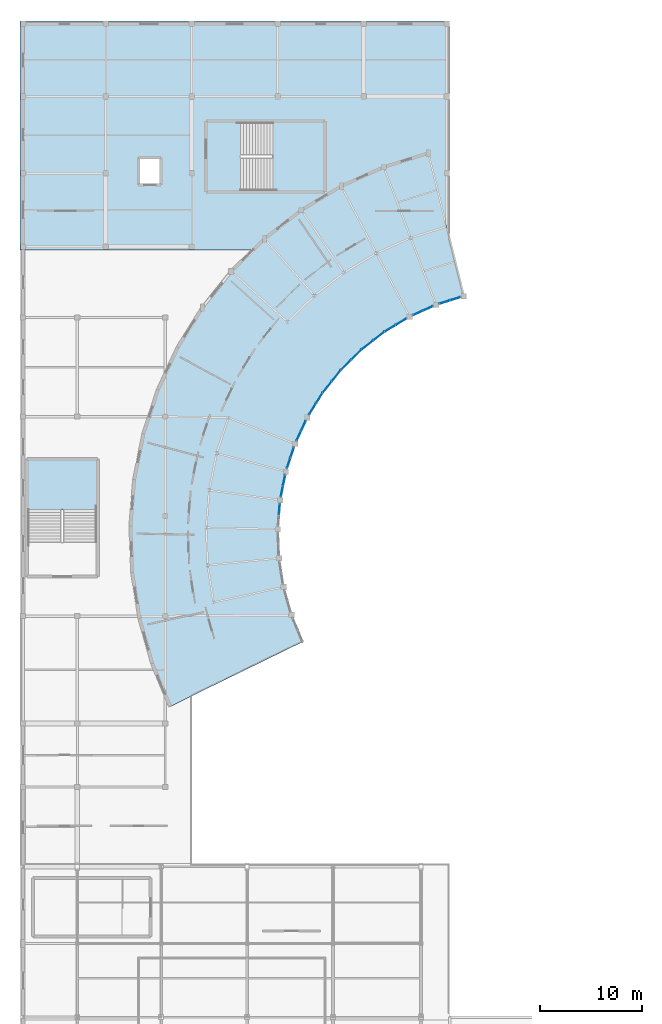
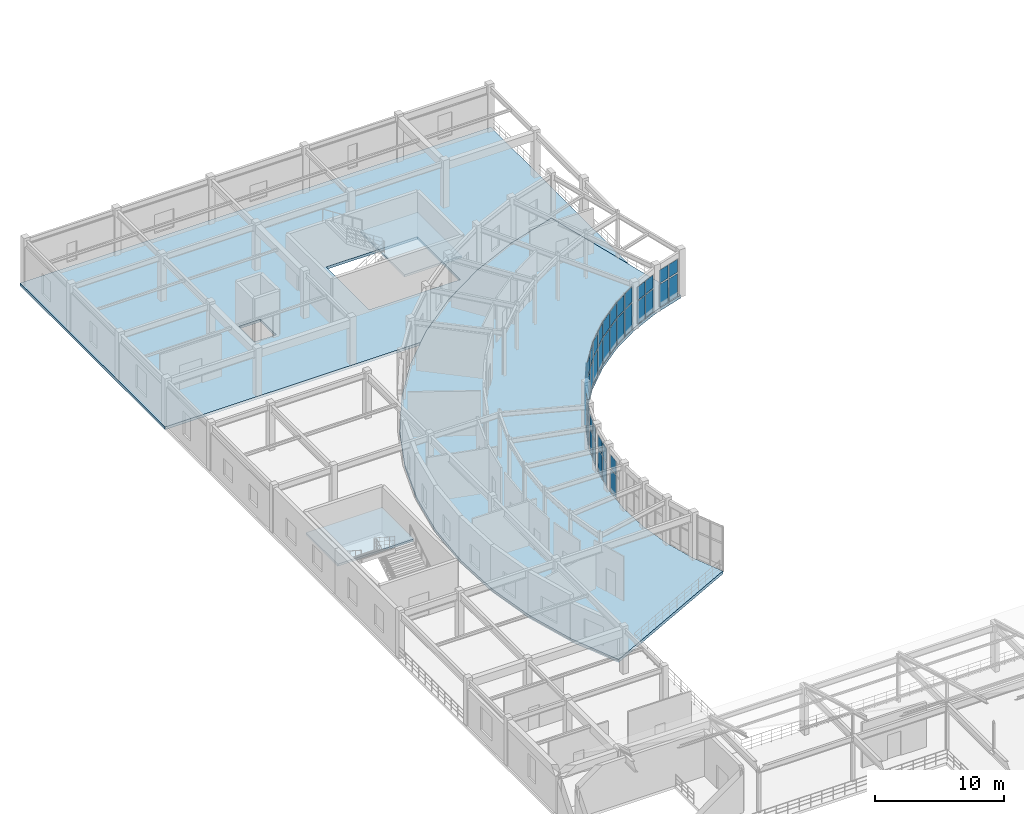
# One storey, part 76 of 112: 42 plates, 4 slabs, 13 elements without a shape of their own.
"""IFC4 building model written with IfcOpenShell, lengths in metres."""

from ifc_helpers import new_model, si_unit, direction, frame, origin, origin_2d, place, context, subcontext, project, spatial, polyline, rectangle, outline, extrude, material, layer, layer_set, type_object, element, aggregate, save


model = new_model("IFC4")

# Units and contexts
model_context = context("Model", 3, precision=1e-05, world=origin(), true_north=direction((0.0, 1.0)))
body_context = subcontext(model_context, "Body", "Model", "MODEL_VIEW")
ifc_project = project(units=[si_unit("LENGTHUNIT", "METRE"), si_unit("AREAUNIT", "SQUARE_METRE"), si_unit("VOLUMEUNIT", "CUBIC_METRE"), si_unit("PLANEANGLEUNIT", "RADIAN"), si_unit("MASSUNIT", "GRAM", prefix="KILO")], contexts=[model_context])

# Site, building, storey
site_placement = place(None, origin())
site = spatial("IfcSite", under=ifc_project, at=site_placement, CompositionType="ELEMENT")
building_placement = place(site_placement, origin())
building = spatial("IfcBuilding", under=site, at=building_placement, Name="Cinderbank Siding Concert Hall", CompositionType="ELEMENT")
storey_placement = place(building_placement, frame((0.0, 0.0, 10.199951171875)))
storey = spatial("IfcBuildingStorey", under=building, at=storey_placement, Name="L03", CompositionType="ELEMENT", Elevation=10.199951171875)

# Curtain wall, plates
ifc_material_1 = material(Name="Anodised aluminium alloy 6063-T6", Category="aluminium")
curtain_wall_type_1 = type_object("IfcCurtainWallType", Name="CW-14 Unitised Acoustic Curtain Wall 4200x3800", PredefinedType="NOTDEFINED", material=ifc_material_1)
curtain_wall_1_placement = place(storey_placement, origin())
curtain_wall_1 = element("IfcCurtainWall", 1, at=curtain_wall_1_placement, inside=storey, type_object=curtain_wall_type_1, Name="L03 Curtain Wall CW-14 #128", PredefinedType="NOTDEFINED")
ifc_material_2 = material(Name="Double-glazed laminated acoustic glass", Category="glass")
ifc_layer_1 = layer(ifc_material_2, 0.035888671875)
ifc_layer_set_1 = layer_set([ifc_layer_1], Name="Double-glazed laminated acoustic glass")
plate_type_1 = type_object("IfcPlateType", Name="CP-01 Glazed Curtain Panel 1800x2200", PredefinedType="CURTAIN_PANEL", material=ifc_layer_set_1)
plate_1_placement = place(storey_placement, frame((37.720458984375, 83.5029296875, 0.1201171875), z_axis=(0.0, 0.0, 1.0), x_axis=(-0.62388932091, -0.781512709592, 0.0)))
plate_1 = element("IfcPlate", 2, at=plate_1_placement, type_object=plate_type_1, Name="CW-L03-128 Glazed Panel 0-0", PredefinedType="CURTAIN_PANEL", context=body_context, shape_type="SweptSolid", body=[
    extrude(rectangle(XDim=1.3232421875, YDim=0.035888671875, at=origin_2d()), origin(), (0.0, 0.0, 1.0), 2.439453125),
])
plate_2_placement = place(storey_placement, frame((37.720458984375, 83.5029296875, 2.6796875), z_axis=(0.0, 0.0, 1.0), x_axis=(-0.62388932091, -0.781512709592, 0.0)))
plate_2 = element("IfcPlate", 3, at=plate_2_placement, type_object=plate_type_1, Name="CW-L03-128 Glazed Panel 0-1", PredefinedType="CURTAIN_PANEL", context=body_context, shape_type="SweptSolid", body=[
    extrude(rectangle(XDim=1.3232421875, YDim=0.035888671875, at=origin_2d()), origin(), (0.0, 0.0, 1.0), 1.425537109375),
])
plate_3_placement = place(storey_placement, frame((36.83251953125, 82.390625, 0.1201171875), z_axis=(0.0, 0.0, 1.0), x_axis=(-0.62388932091, -0.781512709592, 0.0)))
plate_3 = element("IfcPlate", 4, at=plate_3_placement, type_object=plate_type_1, Name="CW-L03-128 Glazed Panel 1-0", PredefinedType="CURTAIN_PANEL", context=body_context, shape_type="SweptSolid", body=[
    extrude(rectangle(XDim=1.3232421875, YDim=0.035888671875, at=origin_2d()), origin(), (0.0, 0.0, 1.0), 2.439453125),
])
plate_4_placement = place(storey_placement, frame((36.83251953125, 82.390625, 2.6796875), z_axis=(0.0, 0.0, 1.0), x_axis=(-0.62388932091, -0.781512709592, 0.0)))
plate_4 = element("IfcPlate", 5, at=plate_4_placement, type_object=plate_type_1, Name="CW-L03-128 Glazed Panel 1-1", PredefinedType="CURTAIN_PANEL", context=body_context, shape_type="SweptSolid", body=[
    extrude(rectangle(XDim=1.3232421875, YDim=0.035888671875, at=origin_2d()), origin(), (0.0, 0.0, 1.0), 1.425537109375),
])
aggregate(curtain_wall_1, [plate_1, plate_2, plate_3, plate_4])

curtain_wall_type_2 = type_object("IfcCurtainWallType", Name="CW-13 Unitised Acoustic Curtain Wall 4200x4400", PredefinedType="NOTDEFINED", material=ifc_material_1)
curtain_wall_2_placement = place(storey_placement, origin())
curtain_wall_2 = element("IfcCurtainWall", 6, at=curtain_wall_2_placement, inside=storey, type_object=curtain_wall_type_2, Name="L03 Curtain Wall CW-13 #129", PredefinedType="NOTDEFINED")
ifc_layer_2 = layer(ifc_material_2, 0.035888671875)
ifc_layer_set_2 = layer_set([ifc_layer_2], Name="Double-glazed laminated acoustic glass")
plate_type_2 = type_object("IfcPlateType", Name="CP-02 Glazed Curtain Panel 1800x1900", PredefinedType="CURTAIN_PANEL", material=ifc_layer_set_2)
plate_5_placement = place(storey_placement, frame((36.058349609375, 81.3017578125, 0.1201171875), z_axis=(0.0, 0.0, 1.0), x_axis=(-0.526957938243, -0.849891364424, 0.0)))
plate_5 = element("IfcPlate", 7, at=plate_5_placement, type_object=plate_type_2, Name="CW-L03-129 Glazed Panel 0-0", PredefinedType="CURTAIN_PANEL", context=body_context, shape_type="SweptSolid", body=[
    extrude(rectangle(XDim=1.1533203125, YDim=0.035888671875, at=origin_2d()), origin(), (0.0, 0.0, 1.0), 2.439453125),
])
plate_6_placement = place(storey_placement, frame((36.058349609375, 81.3017578125, 2.6796875), z_axis=(0.0, 0.0, 1.0), x_axis=(-0.526957938243, -0.849891364424, 0.0)))
plate_6 = element("IfcPlate", 8, at=plate_6_placement, type_object=plate_type_2, Name="CW-L03-129 Glazed Panel 0-1", PredefinedType="CURTAIN_PANEL", context=body_context, shape_type="SweptSolid", body=[
    extrude(rectangle(XDim=1.1533203125, YDim=0.035888671875, at=origin_2d()), origin(), (0.0, 0.0, 1.0), 1.425537109375),
])
plate_7_placement = place(storey_placement, frame((35.397705078125, 80.236572265625, 0.1201171875), z_axis=(0.0, 0.0, 1.0), x_axis=(-0.526957938243, -0.849891364424, 0.0)))
plate_7 = element("IfcPlate", 9, at=plate_7_placement, type_object=plate_type_2, Name="CW-L03-129 Glazed Panel 1-0", PredefinedType="CURTAIN_PANEL", context=body_context, shape_type="SweptSolid", body=[
    extrude(rectangle(XDim=1.1533203125, YDim=0.035888671875, at=origin_2d()), origin(), (0.0, 0.0, 1.0), 2.439453125),
])
plate_8_placement = place(storey_placement, frame((35.397705078125, 80.236572265625, 2.6796875), z_axis=(0.0, 0.0, 1.0), x_axis=(-0.526957938243, -0.849891364424, 0.0)))
plate_8 = element("IfcPlate", 10, at=plate_8_placement, type_object=plate_type_2, Name="CW-L03-129 Glazed Panel 1-1", PredefinedType="CURTAIN_PANEL", context=body_context, shape_type="SweptSolid", body=[
    extrude(rectangle(XDim=1.1533203125, YDim=0.035888671875, at=origin_2d()), origin(), (0.0, 0.0, 1.0), 1.425537109375),
])
aggregate(curtain_wall_2, [plate_5, plate_6, plate_7, plate_8])

curtain_wall_3_placement = place(storey_placement, origin())
curtain_wall_3 = element("IfcCurtainWall", 11, at=curtain_wall_3_placement, inside=storey, type_object=curtain_wall_type_1, Name="L03 Curtain Wall CW-14 #130", PredefinedType="NOTDEFINED")
ifc_layer_3 = layer(ifc_material_2, 0.035888671875)
ifc_layer_set_3 = layer_set([ifc_layer_3], Name="Double-glazed laminated acoustic glass")
plate_type_3 = type_object("IfcPlateType", Name="CP-03 Glazed Curtain Panel 1600x2100", PredefinedType="CURTAIN_PANEL", material=ifc_layer_set_3)
plate_9_placement = place(storey_placement, frame((34.515869140625, 78.615966796875, 0.1201171875), z_axis=(0.0, 0.0, 1.0), x_axis=(-0.422596979175, -0.906317710956, 0.0)))
plate_9 = element("IfcPlate", 12, at=plate_9_placement, type_object=plate_type_3, Name="CW-L03-130 Glazed Panel 0-0", PredefinedType="CURTAIN_PANEL", context=body_context, shape_type="SweptSolid", body=[
    extrude(rectangle(XDim=0.9833984375, YDim=0.035888671875, at=origin_2d()), origin(), (0.0, 0.0, 1.0), 2.118408203125),
])
plate_10_placement = place(storey_placement, frame((34.515869140625, 78.615966796875, 2.3583984375), z_axis=(0.0, 0.0, 1.0), x_axis=(-0.422596979175, -0.906317710956, 0.0)))
plate_10 = element("IfcPlate", 13, at=plate_10_placement, type_object=plate_type_3, Name="CW-L03-130 Glazed Panel 0-1", PredefinedType="CURTAIN_PANEL", context=body_context, shape_type="SweptSolid", body=[
    extrude(rectangle(XDim=0.9833984375, YDim=0.035888671875, at=origin_2d()), origin(), (0.0, 0.0, 1.0), 1.228759765625),
])
plate_11_placement = place(storey_placement, frame((34.05810546875, 77.634033203125, 0.1201171875), z_axis=(0.0, 0.0, 1.0), x_axis=(-0.422596979175, -0.906317710956, 0.0)))
plate_11 = element("IfcPlate", 14, at=plate_11_placement, type_object=plate_type_3, Name="CW-L03-130 Glazed Panel 1-0", PredefinedType="CURTAIN_PANEL", context=body_context, shape_type="SweptSolid", body=[
    extrude(rectangle(XDim=0.9833984375, YDim=0.035888671875, at=origin_2d()), origin(), (0.0, 0.0, 1.0), 2.118408203125),
])
plate_12_placement = place(storey_placement, frame((34.05810546875, 77.634033203125, 2.3583984375), z_axis=(0.0, 0.0, 1.0), x_axis=(-0.422596979175, -0.906317710956, 0.0)))
plate_12 = element("IfcPlate", 15, at=plate_12_placement, type_object=plate_type_3, Name="CW-L03-130 Glazed Panel 1-1", PredefinedType="CURTAIN_PANEL", context=body_context, shape_type="SweptSolid", body=[
    extrude(rectangle(XDim=0.9833984375, YDim=0.035888671875, at=origin_2d()), origin(), (0.0, 0.0, 1.0), 1.228759765625),
])
aggregate(curtain_wall_3, [plate_9, plate_10, plate_11, plate_12])

curtain_wall_4_placement = place(storey_placement, origin())
curtain_wall_4 = element("IfcCurtainWall", 16, at=curtain_wall_4_placement, inside=storey, type_object=curtain_wall_type_2, Name="L03 Curtain Wall CW-13 #123", PredefinedType="NOTDEFINED")
ifc_layer_4 = layer(ifc_material_2, 0.031982421875)
ifc_layer_set_4 = layer_set([ifc_layer_4], Name="Double-glazed laminated acoustic glass")
plate_type_4 = type_object("IfcPlateType", Name="CP-04 Glazed Curtain Panel 1400x2000", PredefinedType="CURTAIN_PANEL", material=ifc_layer_set_4)
plate_13_placement = place(storey_placement, frame((49.3525390625, 91.0234375, 0.1201171875), z_axis=(0.0, 0.0, 1.0), x_axis=(-0.954240278145, -0.29904095299, 0.0)))
plate_13 = element("IfcPlate", 17, at=plate_13_placement, type_object=plate_type_4, Name="CW-L03-123 Glazed Panel 0-0", PredefinedType="CURTAIN_PANEL", context=body_context, shape_type="SweptSolid", body=[
    extrude(rectangle(XDim=0.9833984375, YDim=0.035888671875, at=origin_2d()), origin(), (0.0, 0.0, 1.0), 2.118408203125),
])
plate_14_placement = place(storey_placement, frame((49.3525390625, 91.0234375, 2.3583984375), z_axis=(0.0, 0.0, 1.0), x_axis=(-0.954240278145, -0.29904095299, 0.0)))
plate_14 = element("IfcPlate", 18, at=plate_14_placement, type_object=plate_type_4, Name="CW-L03-123 Glazed Panel 0-1", PredefinedType="CURTAIN_PANEL", context=body_context, shape_type="SweptSolid", body=[
    extrude(rectangle(XDim=0.9833984375, YDim=0.035888671875, at=origin_2d()), origin(), (0.0, 0.0, 1.0), 1.228759765625),
])
plate_15_placement = place(storey_placement, frame((48.318603515625, 90.699462890625, 0.1201171875), z_axis=(0.0, 0.0, 1.0), x_axis=(-0.954240278145, -0.29904095299, 0.0)))
plate_15 = element("IfcPlate", 19, at=plate_15_placement, type_object=plate_type_4, Name="CW-L03-123 Glazed Panel 1-0", PredefinedType="CURTAIN_PANEL", context=body_context, shape_type="SweptSolid", body=[
    extrude(rectangle(XDim=0.9833984375, YDim=0.035888671875, at=origin_2d()), origin(), (0.0, 0.0, 1.0), 2.118408203125),
])
plate_16_placement = place(storey_placement, frame((48.318603515625, 90.699462890625, 2.3583984375), z_axis=(0.0, 0.0, 1.0), x_axis=(-0.954240278145, -0.29904095299, 0.0)))
plate_16 = element("IfcPlate", 20, at=plate_16_placement, type_object=plate_type_4, Name="CW-L03-123 Glazed Panel 1-1", PredefinedType="CURTAIN_PANEL", context=body_context, shape_type="SweptSolid", body=[
    extrude(rectangle(XDim=0.9833984375, YDim=0.035888671875, at=origin_2d()), origin(), (0.0, 0.0, 1.0), 1.228759765625),
])
aggregate(curtain_wall_4, [plate_13, plate_14, plate_15, plate_16])

curtain_wall_5_placement = place(storey_placement, origin())
curtain_wall_5 = element("IfcCurtainWall", 21, at=curtain_wall_5_placement, inside=storey, type_object=curtain_wall_type_2, Name="L03 Curtain Wall CW-13 #131", PredefinedType="NOTDEFINED")
plate_17_placement = place(storey_placement, frame((33.409912109375, 75.997314453125, 0.1201171875), z_axis=(0.0, 0.0, 1.0), x_axis=(-0.312357553034, -0.949964609374, 0.0)))
plate_17 = element("IfcPlate", 22, at=plate_17_placement, type_object=plate_type_4, Name="CW-L03-131 Glazed Panel 0-0", PredefinedType="CURTAIN_PANEL", context=body_context, shape_type="SweptSolid", body=[
    extrude(rectangle(XDim=0.9833984375, YDim=0.035888671875, at=origin_2d()), origin(), (0.0, 0.0, 1.0), 2.118408203125),
])
plate_18_placement = place(storey_placement, frame((33.409912109375, 75.997314453125, 2.3583984375), z_axis=(0.0, 0.0, 1.0), x_axis=(-0.312357553034, -0.949964609374, 0.0)))
plate_18 = element("IfcPlate", 23, at=plate_18_placement, type_object=plate_type_4, Name="CW-L03-131 Glazed Panel 0-1", PredefinedType="CURTAIN_PANEL", context=body_context, shape_type="SweptSolid", body=[
    extrude(rectangle(XDim=0.9833984375, YDim=0.035888671875, at=origin_2d()), origin(), (0.0, 0.0, 1.0), 1.228759765625),
])
plate_19_placement = place(storey_placement, frame((33.071533203125, 74.96826171875, 0.1201171875), z_axis=(0.0, 0.0, 1.0), x_axis=(-0.312357553034, -0.949964609374, 0.0)))
plate_19 = element("IfcPlate", 24, at=plate_19_placement, type_object=plate_type_4, Name="CW-L03-131 Glazed Panel 1-0", PredefinedType="CURTAIN_PANEL", context=body_context, shape_type="SweptSolid", body=[
    extrude(rectangle(XDim=0.9833984375, YDim=0.035888671875, at=origin_2d()), origin(), (0.0, 0.0, 1.0), 2.118408203125),
])
plate_20_placement = place(storey_placement, frame((33.071533203125, 74.96826171875, 2.3583984375), z_axis=(0.0, 0.0, 1.0), x_axis=(-0.312357553034, -0.949964609374, 0.0)))
plate_20 = element("IfcPlate", 25, at=plate_20_placement, type_object=plate_type_4, Name="CW-L03-131 Glazed Panel 1-1", PredefinedType="CURTAIN_PANEL", context=body_context, shape_type="SweptSolid", body=[
    extrude(rectangle(XDim=0.9833984375, YDim=0.035888671875, at=origin_2d()), origin(), (0.0, 0.0, 1.0), 1.228759765625),
])
aggregate(curtain_wall_5, [plate_17, plate_18, plate_19, plate_20])

curtain_wall_6_placement = place(storey_placement, origin())
curtain_wall_6 = element("IfcCurtainWall", 26, at=curtain_wall_6_placement, inside=storey, type_object=curtain_wall_type_1, Name="L03 Curtain Wall CW-14 #124", PredefinedType="NOTDEFINED")
ifc_layer_5 = layer(ifc_material_2, 0.031982421875)
ifc_layer_set_5 = layer_set([ifc_layer_5], Name="Double-glazed laminated acoustic glass")
plate_type_5 = type_object("IfcPlateType", Name="CP-05 Glazed Curtain Panel 1200x1800", PredefinedType="CURTAIN_PANEL", material=ifc_layer_set_5)
plate_21_placement = place(storey_placement, frame((46.673095703125, 90.074462890625, 0.1201171875), z_axis=(0.0, 0.0, 1.0), x_axis=(-0.912121872087, -0.409919126731, 0.0)))
plate_21 = element("IfcPlate", 27, at=plate_21_placement, type_object=plate_type_5, Name="CW-L03-124 Glazed Panel 0-0", PredefinedType="CURTAIN_PANEL", context=body_context, shape_type="SweptSolid", body=[
    extrude(rectangle(XDim=0.9833984375, YDim=0.035888671875, at=origin_2d()), origin(), (0.0, 0.0, 1.0), 2.118408203125),
])
plate_22_placement = place(storey_placement, frame((46.673095703125, 90.074462890625, 2.3583984375), z_axis=(0.0, 0.0, 1.0), x_axis=(-0.912121872087, -0.409919126731, 0.0)))
plate_22 = element("IfcPlate", 28, at=plate_22_placement, type_object=plate_type_5, Name="CW-L03-124 Glazed Panel 0-1", PredefinedType="CURTAIN_PANEL", context=body_context, shape_type="SweptSolid", body=[
    extrude(rectangle(XDim=0.9833984375, YDim=0.035888671875, at=origin_2d()), origin(), (0.0, 0.0, 1.0), 1.228759765625),
])
plate_23_placement = place(storey_placement, frame((45.68505859375, 89.63037109375, 0.1201171875), z_axis=(0.0, 0.0, 1.0), x_axis=(-0.912121872087, -0.409919126731, 0.0)))
plate_23 = element("IfcPlate", 29, at=plate_23_placement, type_object=plate_type_5, Name="CW-L03-124 Glazed Panel 1-0", PredefinedType="CURTAIN_PANEL", context=body_context, shape_type="SweptSolid", body=[
    extrude(rectangle(XDim=0.9833984375, YDim=0.035888671875, at=origin_2d()), origin(), (0.0, 0.0, 1.0), 2.118408203125),
])
plate_24_placement = place(storey_placement, frame((45.68505859375, 89.63037109375, 2.3583984375), z_axis=(0.0, 0.0, 1.0), x_axis=(-0.912121872087, -0.409919126731, 0.0)))
plate_24 = element("IfcPlate", 30, at=plate_24_placement, type_object=plate_type_5, Name="CW-L03-124 Glazed Panel 1-1", PredefinedType="CURTAIN_PANEL", context=body_context, shape_type="SweptSolid", body=[
    extrude(rectangle(XDim=0.9833984375, YDim=0.035888671875, at=origin_2d()), origin(), (0.0, 0.0, 1.0), 1.228759765625),
])
aggregate(curtain_wall_6, [plate_21, plate_22, plate_23, plate_24])

curtain_wall_7_placement = place(storey_placement, origin())
curtain_wall_7 = element("IfcCurtainWall", 31, at=curtain_wall_7_placement, inside=storey, type_object=curtain_wall_type_1, Name="L03 Curtain Wall CW-14 #132", PredefinedType="NOTDEFINED")
plate_25_placement = place(storey_placement, frame((32.6220703125, 73.266357421875, 0.1201171875), z_axis=(0.0, 0.0, 1.0), x_axis=(-0.197635905492, -0.980275496409, 0.0)))
plate_25 = element("IfcPlate", 32, at=plate_25_placement, type_object=plate_type_5, Name="CW-L03-132 Glazed Panel 0-0", PredefinedType="CURTAIN_PANEL", context=body_context, shape_type="SweptSolid", body=[
    extrude(rectangle(XDim=0.9833984375, YDim=0.035888671875, at=origin_2d()), origin(), (0.0, 0.0, 1.0), 2.118408203125),
])
plate_26_placement = place(storey_placement, frame((32.6220703125, 73.266357421875, 2.3583984375), z_axis=(0.0, 0.0, 1.0), x_axis=(-0.197635905492, -0.980275496409, 0.0)))
plate_26 = element("IfcPlate", 33, at=plate_26_placement, type_object=plate_type_5, Name="CW-L03-132 Glazed Panel 0-1", PredefinedType="CURTAIN_PANEL", context=body_context, shape_type="SweptSolid", body=[
    extrude(rectangle(XDim=0.9833984375, YDim=0.035888671875, at=origin_2d()), origin(), (0.0, 0.0, 1.0), 1.228759765625),
])
plate_27_placement = place(storey_placement, frame((32.40771484375, 72.20458984375, 0.1201171875), z_axis=(0.0, 0.0, 1.0), x_axis=(-0.197635905492, -0.980275496409, 0.0)))
plate_27 = element("IfcPlate", 34, at=plate_27_placement, type_object=plate_type_5, Name="CW-L03-132 Glazed Panel 1-0", PredefinedType="CURTAIN_PANEL", context=body_context, shape_type="SweptSolid", body=[
    extrude(rectangle(XDim=0.9833984375, YDim=0.035888671875, at=origin_2d()), origin(), (0.0, 0.0, 1.0), 2.118408203125),
])
plate_28_placement = place(storey_placement, frame((32.40771484375, 72.20458984375, 2.3583984375), z_axis=(0.0, 0.0, 1.0), x_axis=(-0.197635905492, -0.980275496409, 0.0)))
plate_28 = element("IfcPlate", 35, at=plate_28_placement, type_object=plate_type_5, Name="CW-L03-132 Glazed Panel 1-1", PredefinedType="CURTAIN_PANEL", context=body_context, shape_type="SweptSolid", body=[
    extrude(rectangle(XDim=0.9833984375, YDim=0.035888671875, at=origin_2d()), origin(), (0.0, 0.0, 1.0), 1.228759765625),
])
aggregate(curtain_wall_7, [plate_25, plate_26, plate_27, plate_28])

curtain_wall_8_placement = place(storey_placement, origin())
curtain_wall_8 = element("IfcCurtainWall", 36, at=curtain_wall_8_placement, inside=storey, type_object=curtain_wall_type_2, Name="L03 Curtain Wall CW-13 #125", PredefinedType="NOTDEFINED")
ifc_layer_6 = layer(ifc_material_2, 0.0380859375)
ifc_layer_set_6 = layer_set([ifc_layer_6], Name="Double-glazed laminated acoustic glass")
plate_type_6 = type_object("IfcPlateType", Name="CP-06 Glazed Curtain Panel 2100x1600", PredefinedType="CURTAIN_PANEL", material=ifc_layer_set_6)
plate_29_placement = place(storey_placement, frame((44.05224609375, 88.77099609375, 0.1201171875), z_axis=(0.0, 0.0, 1.0), x_axis=(-0.857161096841, -0.515048399727, 0.0)))
plate_29 = element("IfcPlate", 37, at=plate_29_placement, type_object=plate_type_6, Name="CW-L03-125 Glazed Panel 0-0", PredefinedType="CURTAIN_PANEL", context=body_context, shape_type="SweptSolid", body=[
    extrude(rectangle(XDim=1.1533203125, YDim=0.035888671875, at=origin_2d()), origin(), (0.0, 0.0, 1.0), 2.439453125),
])
plate_30_placement = place(storey_placement, frame((44.05224609375, 88.77099609375, 2.6796875), z_axis=(0.0, 0.0, 1.0), x_axis=(-0.857161096841, -0.515048399727, 0.0)))
plate_30 = element("IfcPlate", 38, at=plate_30_placement, type_object=plate_type_6, Name="CW-L03-125 Glazed Panel 0-1", PredefinedType="CURTAIN_PANEL", context=body_context, shape_type="SweptSolid", body=[
    extrude(rectangle(XDim=1.1533203125, YDim=0.035888671875, at=origin_2d()), origin(), (0.0, 0.0, 1.0), 1.425537109375),
])
plate_31_placement = place(storey_placement, frame((42.97802734375, 88.12548828125, 0.1201171875), z_axis=(0.0, 0.0, 1.0), x_axis=(-0.857161096841, -0.515048399727, 0.0)))
plate_31 = element("IfcPlate", 39, at=plate_31_placement, type_object=plate_type_6, Name="CW-L03-125 Glazed Panel 1-0", PredefinedType="CURTAIN_PANEL", context=body_context, shape_type="SweptSolid", body=[
    extrude(rectangle(XDim=1.1533203125, YDim=0.035888671875, at=origin_2d()), origin(), (0.0, 0.0, 1.0), 2.439453125),
])
plate_32_placement = place(storey_placement, frame((42.97802734375, 88.12548828125, 2.6796875), z_axis=(0.0, 0.0, 1.0), x_axis=(-0.857161096841, -0.515048399727, 0.0)))
plate_32 = element("IfcPlate", 40, at=plate_32_placement, type_object=plate_type_6, Name="CW-L03-125 Glazed Panel 1-1", PredefinedType="CURTAIN_PANEL", context=body_context, shape_type="SweptSolid", body=[
    extrude(rectangle(XDim=1.1533203125, YDim=0.035888671875, at=origin_2d()), origin(), (0.0, 0.0, 1.0), 1.425537109375),
])
aggregate(curtain_wall_8, [plate_29, plate_30, plate_31, plate_32])

curtain_wall_9_placement = place(storey_placement, origin())
curtain_wall_9 = element("IfcCurtainWall", 41, at=curtain_wall_9_placement, inside=storey, type_object=curtain_wall_type_2, Name="L03 Curtain Wall CW-13 #133", PredefinedType="NOTDEFINED")
plate_33_placement = place(storey_placement, frame((32.162841796875, 70.461181640625, 0.1201171875), z_axis=(0.0, 0.0, 1.0), x_axis=(-0.0801961758, -0.996779099594, 0.0)))
plate_33 = element("IfcPlate", 42, at=plate_33_placement, type_object=plate_type_6, Name="CW-L03-133 Glazed Panel 0-0", PredefinedType="CURTAIN_PANEL", context=body_context, shape_type="SweptSolid", body=[
    extrude(rectangle(XDim=0.9833984375, YDim=0.035888671875, at=origin_2d()), origin(), (0.0, 0.0, 1.0), 2.118408203125),
])
plate_34_placement = place(storey_placement, frame((32.162841796875, 70.461181640625, 2.3583984375), z_axis=(0.0, 0.0, 1.0), x_axis=(-0.0801961758, -0.996779099594, 0.0)))
plate_34 = element("IfcPlate", 43, at=plate_34_placement, type_object=plate_type_6, Name="CW-L03-133 Glazed Panel 0-1", PredefinedType="CURTAIN_PANEL", context=body_context, shape_type="SweptSolid", body=[
    extrude(rectangle(XDim=0.9833984375, YDim=0.035888671875, at=origin_2d()), origin(), (0.0, 0.0, 1.0), 1.228759765625),
])
aggregate(curtain_wall_9, [plate_33, plate_34])

curtain_wall_10_placement = place(storey_placement, origin())
curtain_wall_10 = element("IfcCurtainWall", 44, at=curtain_wall_10_placement, inside=storey, type_object=curtain_wall_type_1, Name="L03 Curtain Wall CW-14 #126", PredefinedType="NOTDEFINED")
ifc_layer_7 = layer(ifc_material_2, 0.033935546875)
ifc_layer_set_7 = layer_set([ifc_layer_7], Name="Double-glazed laminated acoustic glass")
plate_type_7 = type_object("IfcPlateType", Name="CP-07 Glazed Curtain Panel 1500x1750", PredefinedType="CURTAIN_PANEL", material=ifc_layer_set_7)
plate_35_placement = place(storey_placement, frame((41.87841796875, 87.366455078125, 0.1201171875), z_axis=(0.0, 0.0, 1.0), x_axis=(-0.790161124037, -0.612899174466, 0.0)))
plate_35 = element("IfcPlate", 45, at=plate_35_placement, type_object=plate_type_7, Name="CW-L03-126 Glazed Panel 0-0", PredefinedType="CURTAIN_PANEL", context=body_context, shape_type="SweptSolid", body=[
    extrude(rectangle(XDim=1.3232421875, YDim=0.035888671875, at=origin_2d()), origin(), (0.0, 0.0, 1.0), 2.439453125),
])
plate_36_placement = place(storey_placement, frame((41.87841796875, 87.366455078125, 2.6796875), z_axis=(0.0, 0.0, 1.0), x_axis=(-0.790161124037, -0.612899174466, 0.0)))
plate_36 = element("IfcPlate", 46, at=plate_36_placement, type_object=plate_type_7, Name="CW-L03-126 Glazed Panel 0-1", PredefinedType="CURTAIN_PANEL", context=body_context, shape_type="SweptSolid", body=[
    extrude(rectangle(XDim=1.3232421875, YDim=0.035888671875, at=origin_2d()), origin(), (0.0, 0.0, 1.0), 1.425537109375),
])
plate_37_placement = place(storey_placement, frame((40.75390625, 86.494140625, 0.1201171875), z_axis=(0.0, 0.0, 1.0), x_axis=(-0.790161124037, -0.612899174466, 0.0)))
plate_37 = element("IfcPlate", 47, at=plate_37_placement, type_object=plate_type_7, Name="CW-L03-126 Glazed Panel 1-0", PredefinedType="CURTAIN_PANEL", context=body_context, shape_type="SweptSolid", body=[
    extrude(rectangle(XDim=1.3232421875, YDim=0.035888671875, at=origin_2d()), origin(), (0.0, 0.0, 1.0), 2.439453125),
])
plate_38_placement = place(storey_placement, frame((40.75390625, 86.494140625, 2.6796875), z_axis=(0.0, 0.0, 1.0), x_axis=(-0.790161124037, -0.612899174466, 0.0)))
plate_38 = element("IfcPlate", 48, at=plate_38_placement, type_object=plate_type_7, Name="CW-L03-126 Glazed Panel 1-1", PredefinedType="CURTAIN_PANEL", context=body_context, shape_type="SweptSolid", body=[
    extrude(rectangle(XDim=1.3232421875, YDim=0.035888671875, at=origin_2d()), origin(), (0.0, 0.0, 1.0), 1.425537109375),
])
aggregate(curtain_wall_10, [plate_35, plate_36, plate_37, plate_38])

curtain_wall_11_placement = place(storey_placement, origin())
curtain_wall_11 = element("IfcCurtainWall", 49, at=curtain_wall_11_placement, inside=storey, type_object=curtain_wall_type_2, Name="L03 Curtain Wall CW-13 #127", PredefinedType="NOTDEFINED")
ifc_layer_8 = layer(ifc_material_2, 0.033935546875)
ifc_layer_set_8 = layer_set([ifc_layer_8], Name="Double-glazed laminated acoustic glass")
plate_type_8 = type_object("IfcPlateType", Name="CP-08 Glazed Curtain Panel 1700x1550", PredefinedType="CURTAIN_PANEL", material=ifc_layer_set_8)
plate_39_placement = place(storey_placement, frame((39.684814453125, 85.558349609375, 0.1201171875), z_axis=(0.0, 0.0, 1.0), x_axis=(-0.712024905281, -0.702154209743, 0.0)))
plate_39 = element("IfcPlate", 50, at=plate_39_placement, type_object=plate_type_8, Name="CW-L03-127 Glazed Panel 0-0", PredefinedType="CURTAIN_PANEL", context=body_context, shape_type="SweptSolid", body=[
    extrude(rectangle(XDim=1.323486328125, YDim=0.035888671875, at=origin_2d()), origin(), (0.0, 0.0, 1.0), 2.439453125),
])
plate_40_placement = place(storey_placement, frame((39.684814453125, 85.558349609375, 2.6796875), z_axis=(0.0, 0.0, 1.0), x_axis=(-0.712024905281, -0.702154209743, 0.0)))
plate_40 = element("IfcPlate", 51, at=plate_40_placement, type_object=plate_type_8, Name="CW-L03-127 Glazed Panel 0-1", PredefinedType="CURTAIN_PANEL", context=body_context, shape_type="SweptSolid", body=[
    extrude(rectangle(XDim=1.323486328125, YDim=0.035888671875, at=origin_2d()), origin(), (0.0, 0.0, 1.0), 1.425537109375),
])
plate_41_placement = place(storey_placement, frame((38.67138671875, 84.558837890625, 0.1201171875), z_axis=(0.0, 0.0, 1.0), x_axis=(-0.712024905281, -0.702154209743, 0.0)))
plate_41 = element("IfcPlate", 52, at=plate_41_placement, type_object=plate_type_8, Name="CW-L03-127 Glazed Panel 1-0", PredefinedType="CURTAIN_PANEL", context=body_context, shape_type="SweptSolid", body=[
    extrude(rectangle(XDim=1.323486328125, YDim=0.035888671875, at=origin_2d()), origin(), (0.0, 0.0, 1.0), 2.439453125),
])
plate_42_placement = place(storey_placement, frame((38.67138671875, 84.558837890625, 2.6796875), z_axis=(0.0, 0.0, 1.0), x_axis=(-0.712024905281, -0.702154209743, 0.0)))
plate_42 = element("IfcPlate", 53, at=plate_42_placement, type_object=plate_type_8, Name="CW-L03-127 Glazed Panel 1-1", PredefinedType="CURTAIN_PANEL", context=body_context, shape_type="SweptSolid", body=[
    extrude(rectangle(XDim=1.323486328125, YDim=0.035888671875, at=origin_2d()), origin(), (0.0, 0.0, 1.0), 1.425537109375),
])
aggregate(curtain_wall_11, [plate_39, plate_40, plate_41, plate_42])

# Stair, slab
ifc_material_3 = material(Name="Reinforced concrete AS 3600 N50 (50 MPa)", Category="concrete")
stair_type = type_object("IfcStairType", Name="STR-L Dogleg Exit Stair 3250mm", PredefinedType="HALF_TURN_STAIR", material=ifc_material_3)
stair_1_placement = place(storey_placement, origin())
stair_1 = element("IfcStair", 54, at=stair_1_placement, inside=storey, type_object=stair_type, Name="L03 Rehearsal Wing Exit Stair ST-05", PredefinedType="HALF_TURN_STAIR")
ifc_layer_9 = layer(ifc_material_3, 0.199951171875)
ifc_layer_set_9 = layer_set([ifc_layer_9], Name="Reinforced concrete AS 3600 N50 (50 MPa)")
slab_type_1 = type_object("IfcSlabType", Name="LD-02 Slab 200mm", PredefinedType="LANDING", material=ifc_layer_set_9)
slab_1_placement = place(storey_placement, frame((0.0, 0.0, 2.050048828125)))
slab_1 = element("IfcSlab", 55, at=slab_1_placement, type_object=slab_type_1, Name="ST-05 landing 1", PredefinedType="LANDING", context=body_context, shape_type="SweptSolid", body=[
    extrude(outline(polyline([(31.4599609375, 101.52001953125), (31.4599609375, 108.340087890625), (36.580078125, 108.340087890625), (36.580078125, 101.52001953125), (31.4599609375, 101.52001953125)])), origin(), (0.0, 0.0, 1.0), 0.199951171875),
])
aggregate(stair_1, [slab_1])

stair_2_placement = place(storey_placement, origin())
stair_2 = element("IfcStair", 56, at=stair_2_placement, inside=storey, type_object=stair_type, Name="L03 West Gallery Exit Stair ST-09", PredefinedType="HALF_TURN_STAIR")
slab_2_placement = place(storey_placement, frame((0.0, 0.0, 2.050048828125)))
slab_2 = element("IfcSlab", 57, at=slab_2_placement, type_object=slab_type_1, Name="ST-09 landing 1", PredefinedType="LANDING", context=body_context, shape_type="SweptSolid", body=[
    extrude(outline(polyline([(14.340087890625, 70.360107421875), (7.52001953125, 70.360107421875), (7.52001953125, 75.280029296875), (14.340087890625, 75.280029296875), (14.340087890625, 70.360107421875)])), origin(), (0.0, 0.0, 1.0), 0.199951171875),
])
aggregate(stair_2, [slab_2])

# Slabs
ifc_layer_10 = layer(ifc_material_3, 0.280029296875)
ifc_layer_set_10 = layer_set([ifc_layer_10], Name="Reinforced concrete AS 3600 N50 (50 MPa)")
slab_type_2 = type_object("IfcSlabType", Name="SL-02 Slab 280mm", PredefinedType="FLOOR", material=ifc_layer_set_10)
slab_3_placement = place(storey_placement, frame((0.0, 0.0, -0.280029296875)))
element("IfcSlab", 58, at=slab_3_placement, inside=storey, type_object=slab_type_2, Name="L03 Ensemble & Practice Arc Slab", PredefinedType="FLOOR", context=body_context, shape_type="SweptSolid", body=[
    extrude(outline(polyline([(46.710205078125, 105.259521484375), (50.19384765625, 91.287109375), (47.477294921875, 90.435791015625), (44.880859375, 89.268798828125), (42.44091796875, 87.802734375), (40.19140625, 86.05810546875), (38.16455078125, 84.05908203125), (36.388427734375, 81.83447265625), (34.888427734375, 79.4150390625), (33.685302734375, 76.8349609375), (32.796142578125, 74.130615234375), (32.233642578125, 71.340087890625), (32.00537109375, 68.502685546875), (32.114501953125, 65.657958984375), (32.559814453125, 62.846435546875), (33.3349609375, 60.107177734375), (34.428955078125, 57.47900390625), (21.486328125, 51.16650390625), (19.73583984375, 55.37158203125), (18.495849609375, 59.754150390625), (17.783203125, 64.252685546875), (17.6083984375, 68.80419921875), (17.9736328125, 73.34423828125), (18.8740234375, 77.80908203125), (20.296630859375, 82.135986328125), (22.221435546875, 86.263916015625), (24.62158203125, 90.135009765625), (27.463134765625, 93.694580078125), (30.706298828125, 96.892578125), (34.305419921875, 99.684326171875), (38.20947265625, 102.0302734375), (42.364013671875, 103.897216796875), (46.710205078125, 105.259521484375)])), origin(), (0.0, 0.0, 1.0), 0.280029296875),
])
ifc_layer_11 = layer(ifc_material_3, 0.25)
ifc_layer_set_11 = layer_set([ifc_layer_11], Name="Reinforced concrete AS 3600 N50 (50 MPa)")
slab_type_3 = type_object("IfcSlabType", Name="SL-04 Slab 250mm", PredefinedType="FLOOR", material=ifc_layer_set_11)
slab_4_placement = place(storey_placement, frame((0.0, 0.0, -0.25)))
element("IfcSlab", 59, at=slab_4_placement, inside=storey, type_object=slab_type_3, Name="L03 NW Slab", PredefinedType="FLOOR", context=body_context, shape_type="SweptSolid", body=[
    extrude(outline(polyline([(6.800048828125, 95.800048828125), (6.800048828125, 118.199951171875), (48.800048828125, 118.199951171875), (48.800048828125, 96.877685546875), (46.710205078125, 105.259521484375), (42.364013671875, 103.897216796875), (38.20947265625, 102.0302734375), (34.305419921875, 99.684326171875), (30.706298828125, 96.892578125), (29.59814453125, 95.800048828125), (6.800048828125, 95.800048828125)]), holes=[polyline([(28.35009765625, 101.60009765625), (36.5, 101.60009765625), (36.5, 108.260009765625), (28.35009765625, 108.260009765625), (28.35009765625, 101.60009765625)]), polyline([(18.5400390625, 102.2900390625), (20.4599609375, 102.2900390625), (20.4599609375, 104.7099609375), (18.5400390625, 104.7099609375), (18.5400390625, 102.2900390625)])]), origin(), (0.0, 0.0, 1.0), 0.25),
])

save(model, "model.ifc")
